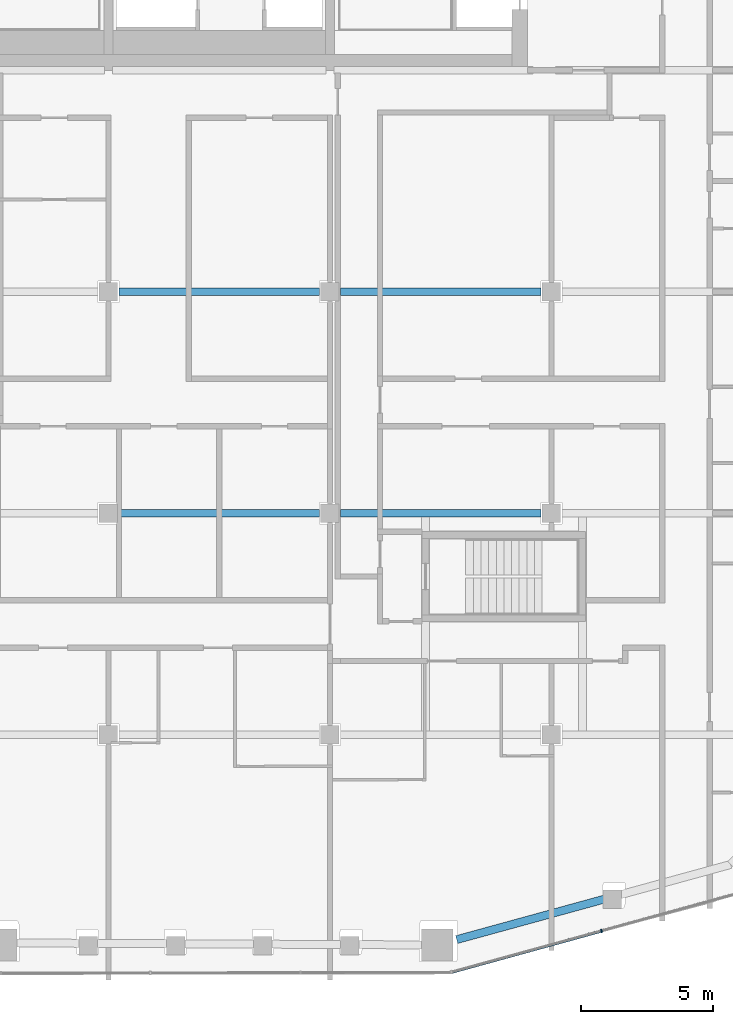
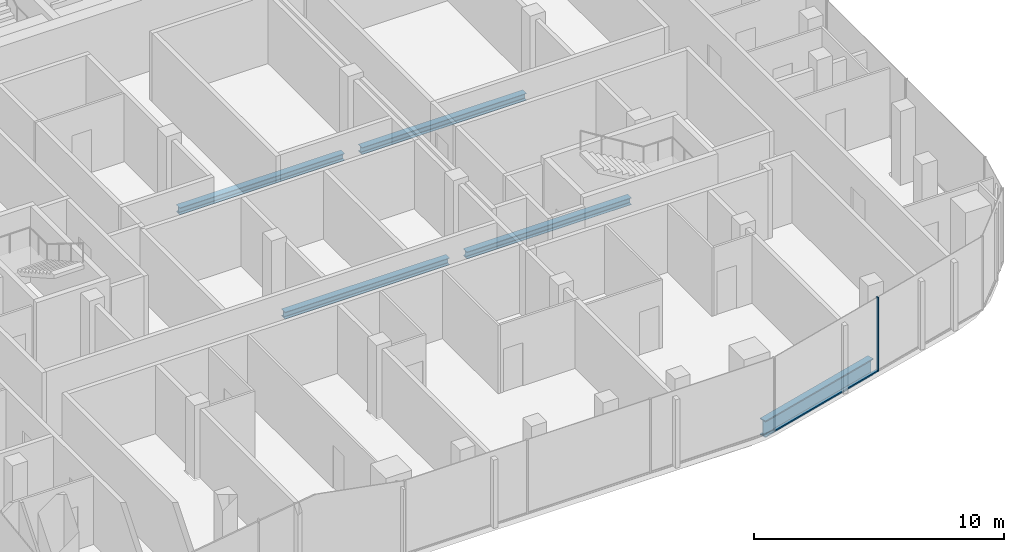
# One storey, part 5 of 21: 5 beams, 2 members, 1 element without a shape of its own.
"""IFC4 building model written with IfcOpenShell, lengths in metres."""

from ifc_helpers import new_model, si_unit, direction, frame, origin, origin_2d, place, context, subcontext, project, spatial, rectangle, i_section, extrude, material, layer, layer_set, material_profile, profile_set, type_object, element, aggregate, save


model = new_model("IFC4")

# Units and contexts
model_context = context("Model", 3, precision=1e-05, world=origin(), true_north=direction((0.0, 1.0)))
body_context = subcontext(model_context, "Body", "Model", "MODEL_VIEW")
ifc_project = project(units=[si_unit("LENGTHUNIT", "METRE"), si_unit("AREAUNIT", "SQUARE_METRE"), si_unit("VOLUMEUNIT", "CUBIC_METRE"), si_unit("PLANEANGLEUNIT", "RADIAN"), si_unit("MASSUNIT", "GRAM", prefix="KILO")], contexts=[model_context])

# Site, building, storey
site_placement = place(None, origin())
site = spatial("IfcSite", under=ifc_project, at=site_placement, CompositionType="ELEMENT")
building_placement = place(site_placement, origin())
building = spatial("IfcBuilding", under=site, at=building_placement, Name="Marenta Gate Hotel Tower", CompositionType="ELEMENT")
storey_placement = place(building_placement, frame((0.0, 0.0, 266.89990234375)))
storey = spatial("IfcBuildingStorey", under=building, at=storey_placement, Name="L61", CompositionType="ELEMENT", Elevation=266.89990234375)

# Beams
ifc_material_1 = material(Name="Steel S355", Category="steel")
ifc_material_profile_1 = material_profile(ifc_material_1, i_section(OverallWidth=0.302978515625, OverallDepth=0.81396484375, WebThickness=0.030029296875, FlangeThickness=0.052001953125, FilletRadius=0.030029296875, at=origin_2d()), Name="HEM 800")
ifc_profile_set_1 = profile_set([ifc_material_profile_1], Name="Steel S355")
beam_type_1 = type_object("IfcBeamType", Name="Edge beam HEM 800", PredefinedType="SPANDREL", material=ifc_profile_set_1)
beam_1_placement = place(storey_placement, frame((14.9228515625, -31.34619140625, -0.6669921875), z_axis=(-0.964358424131, -0.264599376054, 0.0), x_axis=(0.264599376054, -0.964358424131, 0.0)))
element("IfcBeam", 1, at=beam_1_placement, inside=storey, type_object=beam_type_1, Name="L61-EB-30", PredefinedType="SPANDREL", context=body_context, shape_type="SweptSolid", body=[
    extrude(i_section(OverallWidth=0.302978515625, OverallDepth=0.81396484375, WebThickness=0.030029296875, FlangeThickness=0.052001953125, FilletRadius=0.030029296875, at=origin_2d()), origin(), (0.0, 0.0, 1.0), 6.132080078125),
])
ifc_material_2 = material(Name="Steel S355", Category="steel")
ifc_material_profile_2 = material_profile(ifc_material_2, i_section(OverallWidth=0.300048828125, OverallDepth=0.340087890625, WebThickness=0.011962890625, FlangeThickness=0.021484375, FilletRadius=0.027099609375, at=origin_2d()), Name="HEB 340")
ifc_profile_set_2 = profile_set([ifc_material_profile_2], Name="Steel S355")
beam_type_2 = type_object("IfcBeamType", Name="Girder HEB 340", PredefinedType="BEAM", material=ifc_profile_set_2)
beam_2_placement = place(storey_placement, frame((-3.800048828125, -16.800048828125, -0.429931640625), z_axis=(1.0, 0.0, 0.0), x_axis=(0.0, 1.0, 0.0)))
element("IfcBeam", 2, at=beam_2_placement, inside=storey, type_object=beam_type_2, Name="L61-GD-9", PredefinedType="BEAM", context=body_context, shape_type="SweptSolid", body=[
    extrude(i_section(OverallWidth=0.300048828125, OverallDepth=0.340087890625, WebThickness=0.011962890625, FlangeThickness=0.021484375, FilletRadius=0.027099609375, at=origin_2d()), origin(), (0.0, 0.0, 1.0), 7.60009765625),
])
beam_3_placement = place(storey_placement, frame((4.60009765625, -16.800048828125, -0.429931640625), z_axis=(1.0, 0.0, 0.0), x_axis=(0.0, 1.0, 0.0)))
element("IfcBeam", 3, at=beam_3_placement, inside=storey, type_object=beam_type_2, Name="L61-GD-10", PredefinedType="BEAM", context=body_context, shape_type="SweptSolid", body=[
    extrude(i_section(OverallWidth=0.300048828125, OverallDepth=0.340087890625, WebThickness=0.011962890625, FlangeThickness=0.021484375, FilletRadius=0.027099609375, at=origin_2d()), origin(), (0.0, 0.0, 1.0), 7.599853515625),
])
beam_4_placement = place(storey_placement, frame((-3.800048828125, -8.39990234375, -0.429931640625), z_axis=(1.0, 0.0, 0.0), x_axis=(0.0, 1.0, 0.0)))
element("IfcBeam", 4, at=beam_4_placement, inside=storey, type_object=beam_type_2, Name="L61-GD-14", PredefinedType="BEAM", context=body_context, shape_type="SweptSolid", body=[
    extrude(i_section(OverallWidth=0.300048828125, OverallDepth=0.340087890625, WebThickness=0.011962890625, FlangeThickness=0.021484375, FilletRadius=0.027099609375, at=origin_2d()), origin(), (0.0, 0.0, 1.0), 7.60009765625),
])
beam_5_placement = place(storey_placement, frame((4.60009765625, -8.39990234375, -0.429931640625), z_axis=(1.0, 0.0, 0.0), x_axis=(0.0, 1.0, 0.0)))
element("IfcBeam", 5, at=beam_5_placement, inside=storey, type_object=beam_type_2, Name="L61-GD-15", PredefinedType="BEAM", context=body_context, shape_type="SweptSolid", body=[
    extrude(i_section(OverallWidth=0.300048828125, OverallDepth=0.340087890625, WebThickness=0.011962890625, FlangeThickness=0.021484375, FilletRadius=0.027099609375, at=origin_2d()), origin(), (0.0, 0.0, 1.0), 7.599853515625),
])

# Curtain wall, members
ifc_material_3 = material(Name="Tinted insulated glass in bronze anodised frame", Category="glass")
ifc_layer = layer(ifc_material_3, 0.1201171875)
ifc_layer_set = layer_set([ifc_layer], Name="Tinted insulated glass in bronze anodised frame")
curtain_wall_type = type_object("IfcCurtainWallType", Name="Tower unitised curtain wall CW1", PredefinedType="NOTDEFINED", material=ifc_layer_set)
curtain_wall_placement = place(storey_placement, origin())
curtain_wall = element("IfcCurtainWall", 6, at=curtain_wall_placement, inside=storey, type_object=curtain_wall_type, Name="CW1 run G08", PredefinedType="NOTDEFINED")
ifc_material_4 = material(Name="Bronze anodised aluminium", Category="aluminium")
ifc_material_profile_3 = material_profile(ifc_material_4, rectangle(XDim=0.1201171875, YDim=0.06005859375, at=origin_2d()), Name="Mullion CW1 60x120 bronze anodised aluminium")
ifc_profile_set_3 = profile_set([ifc_material_profile_3], Name="Bronze anodised aluminium")
member_type_1 = type_object("IfcMemberType", Name="Mullion CW1 60x120 bronze anodised aluminium", PredefinedType="MULLION", material=ifc_profile_set_3)
member_1_placement = place(storey_placement, frame((14.5, -32.636962890625, 0.0), z_axis=(0.0, 0.0, 1.0), x_axis=(-0.265292115151, 0.964168083707, 0.0)))
member_1 = element("IfcMember", 7, at=member_1_placement, type_object=member_type_1, Name="CW1 mullion 2", PredefinedType="MULLION", context=body_context, shape_type="SweptSolid", body=[
    extrude(rectangle(XDim=0.1201171875, YDim=0.06005859375, at=origin_2d()), origin(), (0.0, 0.0, 1.0), 3.60009765625),
])
ifc_material_5 = material(Name="Bronze anodised aluminium", Category="aluminium")
ifc_material_profile_4 = material_profile(ifc_material_5, rectangle(XDim=0.1201171875, YDim=0.06005859375, at=origin_2d()), Name="Transom CW1 60x120 bronze anodised aluminium")
ifc_profile_set_4 = profile_set([ifc_material_profile_4], Name="Bronze anodised aluminium")
member_type_2 = type_object("IfcMemberType", Name="Transom CW1 60x120 bronze anodised aluminium", PredefinedType="USERDEFINED", material=ifc_profile_set_4)
member_2_placement = place(storey_placement, frame((8.8330078125, -34.1962890625, 0.030029296875), z_axis=(0.964158143693, 0.265328238131, 0.0), x_axis=(-0.265328238131, 0.964158143693, 0.0)))
member_2 = element("IfcMember", 8, at=member_2_placement, type_object=member_type_2, Name="CW1 transom 1.1", ObjectType="TRANSOM", PredefinedType="USERDEFINED", context=body_context, shape_type="SweptSolid", body=[
    extrude(rectangle(XDim=0.1201171875, YDim=0.06005859375, at=origin_2d()), origin(), (0.0, 0.0, 1.0), 5.847412109375),
])
aggregate(curtain_wall, [member_1, member_2])

save(model, "model.ifc")
